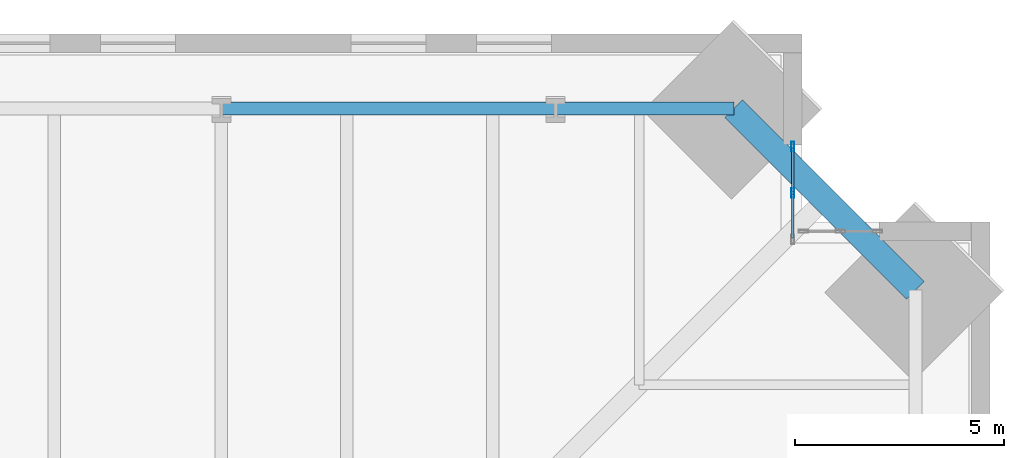
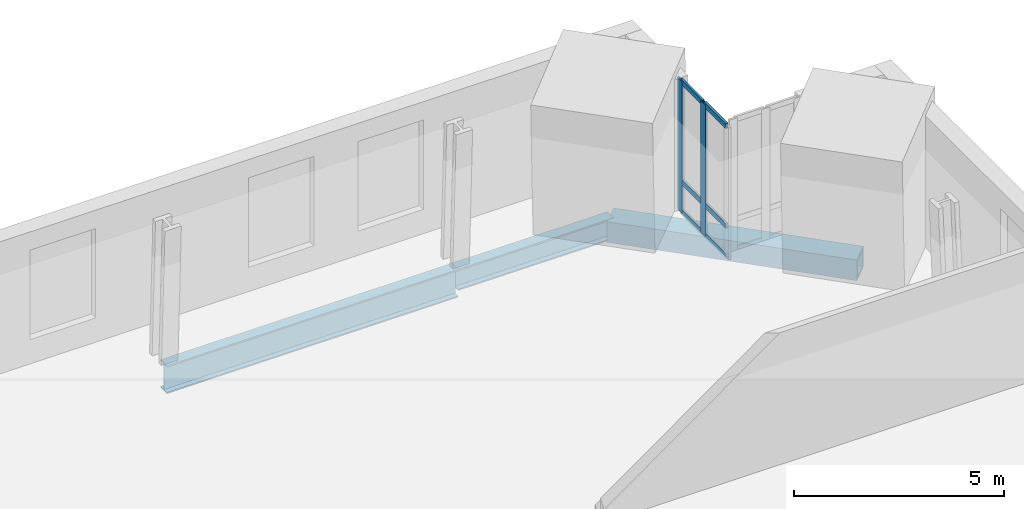
# One storey, part 11 of 18: 8 members, 3 beams, 1 element without a shape of its own.
"""IFC4 building model written with IfcOpenShell, lengths in metres."""

from ifc_helpers import new_model, si_unit, direction, frame, origin, origin_2d, place, context, subcontext, project, spatial, hollow_rectangle, i_section, extrude, material, material_profile, profile_set, type_object, element, aggregate, save


model = new_model("IFC4")

# Units and contexts
model_context = context("Model", 3, precision=1e-05, world=origin(), true_north=direction((0.0, 1.0)))
body_context = subcontext(model_context, "Body", "Model", "MODEL_VIEW")
ifc_project = project(units=[si_unit("LENGTHUNIT", "METRE"), si_unit("AREAUNIT", "SQUARE_METRE"), si_unit("VOLUMEUNIT", "CUBIC_METRE"), si_unit("PLANEANGLEUNIT", "RADIAN"), si_unit("MASSUNIT", "GRAM", prefix="KILO")], contexts=[model_context])

# Site, building, storey
site_placement = place(None, origin())
site = spatial("IfcSite", under=ifc_project, at=site_placement, CompositionType="ELEMENT")
building_placement = place(site_placement, origin())
building = spatial("IfcBuilding", under=site, at=building_placement, Name="Peilmerk Tower", CompositionType="ELEMENT")
storey_placement = place(building_placement, frame((0.0, 0.0, 155.800048828125)))
storey = spatial("IfcBuildingStorey", under=building, at=storey_placement, Name="L32", CompositionType="ELEMENT", Elevation=155.800048828125)

# Beams
ifc_material_1 = material(Name="Steel S355", Category="steel")
ifc_material_profile_1 = material_profile(ifc_material_1, i_section(OverallWidth=0.302978515625, OverallDepth=0.81396484375, WebThickness=0.02099609375, FlangeThickness=0.0400390625, at=origin_2d()), Name="HEM 800")
ifc_profile_set_1 = profile_set([ifc_material_profile_1], Name="Steel S355")
beam_type_1 = type_object("IfcBeamType", Name="B15 HEM 800 edge beam", PredefinedType="SPANDREL", material=ifc_profile_set_1)
beam_1_placement = place(storey_placement, frame((16.0, 24.614501953125, -0.5771484375), z_axis=(-1.0, 0.0, 0.0), x_axis=(0.0, -1.0, 0.0)))
element("IfcBeam", 1, at=beam_1_placement, inside=storey, type_object=beam_type_1, Name="Edge beam L32", PredefinedType="SPANDREL", context=body_context, shape_type="SweptSolid", body=[
    extrude(i_section(OverallWidth=0.302978515625, OverallDepth=0.81396484375, WebThickness=0.02099609375, FlangeThickness=0.0400390625, at=origin_2d()), origin(), (0.0, 0.0, 1.0), 8.0),
])
ifc_material_2 = material(Name="Steel S460", Category="steel")
ifc_material_profile_2 = material_profile(ifc_material_2, hollow_rectangle(XDim=0.60009765625, YDim=0.60009765625, WallThickness=0.06005859375, at=origin_2d()), Name="BOX 600x600x60")
ifc_profile_set_2 = profile_set([ifc_material_profile_2], Name="Steel S460")
beam_type_2 = type_object("IfcBeamType", Name="B20 BOX 600x600x60 notch beam", PredefinedType="SPANDREL", material=ifc_profile_set_2)
beam_2_placement = place(storey_placement, frame((20.264404296875, 24.614501953125, -0.469970703125), z_axis=(0.707106781187, -0.707106781187, 0.0), x_axis=(0.707106781187, 0.707106781187, 0.0)))
element("IfcBeam", 2, at=beam_2_placement, inside=storey, type_object=beam_type_2, Name="Notch beam L32", PredefinedType="SPANDREL", context=body_context, shape_type="SweptSolid", body=[
    extrude(hollow_rectangle(XDim=0.60009765625, YDim=0.60009765625, WallThickness=0.06005859375, at=origin_2d()), origin(), (0.0, 0.0, 1.0), 6.15185546875),
])
ifc_material_profile_3 = material_profile(ifc_material_1, i_section(OverallWidth=0.304931640625, OverallDepth=0.6201171875, WebThickness=0.02099609375, FlangeThickness=0.0400390625, at=origin_2d()), Name="HEM 600")
ifc_profile_set_3 = profile_set([ifc_material_profile_3], Name="Steel S355")
beam_type_3 = type_object("IfcBeamType", Name="B31 HEM 600 edge beam", PredefinedType="SPANDREL", material=ifc_profile_set_3)
beam_3_placement = place(storey_placement, frame((20.264404296875, 24.614501953125, -0.47998046875), z_axis=(-1.0, 0.0, 0.0), x_axis=(0.0, -1.0, 0.0)))
element("IfcBeam", 3, at=beam_3_placement, inside=storey, type_object=beam_type_3, Name="Edge beam L32", PredefinedType="SPANDREL", context=body_context, shape_type="SweptSolid", body=[
    extrude(i_section(OverallWidth=0.304931640625, OverallDepth=0.6201171875, WebThickness=0.02099609375, FlangeThickness=0.0400390625, at=origin_2d()), origin(), (0.0, 0.0, 1.0), 4.264404296875),
])

# Curtain wall, members
ifc_material_3 = material(Name="Aluminium stick curtain wall", Category="aluminium")
curtain_wall_type = type_object("IfcCurtainWallType", Name="CW3 stick curtain wall, 2250 module", PredefinedType="NOTDEFINED", material=ifc_material_3)
curtain_wall_placement = place(storey_placement, origin())
curtain_wall = element("IfcCurtainWall", 4, at=curtain_wall_placement, inside=storey, type_object=curtain_wall_type, Name="Curtain wall CW3 NEA L32", PredefinedType="NOTDEFINED")
ifc_material_4 = material(Name="Aluminium EN AW-6063 T6", Category="aluminium")
ifc_material_profile_4 = material_profile(ifc_material_4, hollow_rectangle(XDim=0.06494140625, YDim=0.22509765625, WallThickness=0.00390625, at=origin_2d()), Name="AL 225x65x4")
ifc_profile_set_4 = profile_set([ifc_material_profile_4], Name="Aluminium EN AW-6063 T6")
member_type_1 = type_object("IfcMemberType", Name="CW3-M AL 225x65x4 mullion", PredefinedType="MULLION", material=ifc_profile_set_4)
member_1_placement = place(storey_placement, frame((21.675048828125, 22.59423828125, 0.0), z_axis=(0.0, 0.0, 1.0), x_axis=(-1.0, 0.0, 0.0)))
member_1 = element("IfcMember", 5, at=member_1_placement, type_object=member_type_1, Name="CW3 mullion 2", PredefinedType="MULLION", context=body_context, shape_type="SweptSolid", body=[
    extrude(hollow_rectangle(XDim=0.06494140625, YDim=0.22509765625, WallThickness=0.00390625, at=origin_2d()), origin(), (0.0, 0.0, 1.0), 3.829833984375),
])
member_2_placement = place(storey_placement, frame((21.675048828125, 23.706298828125, 0.0), z_axis=(0.0, 0.0, 1.0), x_axis=(-1.0, 0.0, 0.0)))
member_2 = element("IfcMember", 6, at=member_2_placement, type_object=member_type_1, Name="CW3 mullion 3", PredefinedType="MULLION", context=body_context, shape_type="SweptSolid", body=[
    extrude(hollow_rectangle(XDim=0.06494140625, YDim=0.22509765625, WallThickness=0.00390625, at=origin_2d()), origin(), (0.0, 0.0, 1.0), 3.829833984375),
])
ifc_material_profile_5 = material_profile(ifc_material_4, hollow_rectangle(XDim=0.06494140625, YDim=0.14990234375, WallThickness=0.0029296875, at=origin_2d()), Name="AL 150x65x3")
ifc_profile_set_5 = profile_set([ifc_material_profile_5], Name="Aluminium EN AW-6063 T6")
member_type_2 = type_object("IfcMemberType", Name="CW3-T AL 150x65x3 transom", PredefinedType="USERDEFINED", material=ifc_profile_set_5)
member_3_placement = place(storey_placement, frame((21.675048828125, 21.514892578125, 0.032470703125), z_axis=(0.0, 1.0, 0.0), x_axis=(-1.0, 0.0, 0.0)))
member_3 = element("IfcMember", 7, at=member_3_placement, type_object=member_type_2, Name="CW3 transom 1.1", ObjectType="TRANSOM", PredefinedType="USERDEFINED", context=body_context, shape_type="SweptSolid", body=[
    extrude(hollow_rectangle(XDim=0.06494140625, YDim=0.14990234375, WallThickness=0.0029296875, at=origin_2d()), origin(), (0.0, 0.0, 1.0), 1.046875),
])
member_4_placement = place(storey_placement, frame((21.675048828125, 21.514892578125, 0.89990234375), z_axis=(0.0, 1.0, 0.0), x_axis=(-1.0, 0.0, 0.0)))
member_4 = element("IfcMember", 8, at=member_4_placement, type_object=member_type_2, Name="CW3 transom 1.2", ObjectType="TRANSOM", PredefinedType="USERDEFINED", context=body_context, shape_type="SweptSolid", body=[
    extrude(hollow_rectangle(XDim=0.06494140625, YDim=0.14990234375, WallThickness=0.0029296875, at=origin_2d()), origin(), (0.0, 0.0, 1.0), 1.046875),
])
member_5_placement = place(storey_placement, frame((21.675048828125, 21.514892578125, 3.79736328125), z_axis=(0.0, 1.0, 0.0), x_axis=(-1.0, 0.0, 0.0)))
member_5 = element("IfcMember", 9, at=member_5_placement, type_object=member_type_2, Name="CW3 transom 1.3", ObjectType="TRANSOM", PredefinedType="USERDEFINED", context=body_context, shape_type="SweptSolid", body=[
    extrude(hollow_rectangle(XDim=0.06494140625, YDim=0.14990234375, WallThickness=0.0029296875, at=origin_2d()), origin(), (0.0, 0.0, 1.0), 1.046875),
])
member_6_placement = place(storey_placement, frame((21.675048828125, 22.626953125, 0.032470703125), z_axis=(0.0, 1.0, 0.0), x_axis=(-1.0, 0.0, 0.0)))
member_6 = element("IfcMember", 10, at=member_6_placement, type_object=member_type_2, Name="CW3 transom 2.1", ObjectType="TRANSOM", PredefinedType="USERDEFINED", context=body_context, shape_type="SweptSolid", body=[
    extrude(hollow_rectangle(XDim=0.06494140625, YDim=0.14990234375, WallThickness=0.0029296875, at=origin_2d()), origin(), (0.0, 0.0, 1.0), 1.046630859375),
])
member_7_placement = place(storey_placement, frame((21.675048828125, 22.626953125, 0.89990234375), z_axis=(0.0, 1.0, 0.0), x_axis=(-1.0, 0.0, 0.0)))
member_7 = element("IfcMember", 11, at=member_7_placement, type_object=member_type_2, Name="CW3 transom 2.2", ObjectType="TRANSOM", PredefinedType="USERDEFINED", context=body_context, shape_type="SweptSolid", body=[
    extrude(hollow_rectangle(XDim=0.06494140625, YDim=0.14990234375, WallThickness=0.0029296875, at=origin_2d()), origin(), (0.0, 0.0, 1.0), 1.046630859375),
])
member_8_placement = place(storey_placement, frame((21.675048828125, 22.626953125, 3.79736328125), z_axis=(0.0, 1.0, 0.0), x_axis=(-1.0, 0.0, 0.0)))
member_8 = element("IfcMember", 12, at=member_8_placement, type_object=member_type_2, Name="CW3 transom 2.3", ObjectType="TRANSOM", PredefinedType="USERDEFINED", context=body_context, shape_type="SweptSolid", body=[
    extrude(hollow_rectangle(XDim=0.06494140625, YDim=0.14990234375, WallThickness=0.0029296875, at=origin_2d()), origin(), (0.0, 0.0, 1.0), 1.046630859375),
])
aggregate(curtain_wall, [member_1, member_2, member_3, member_4, member_5, member_6, member_7, member_8])

save(model, "model.ifc")
